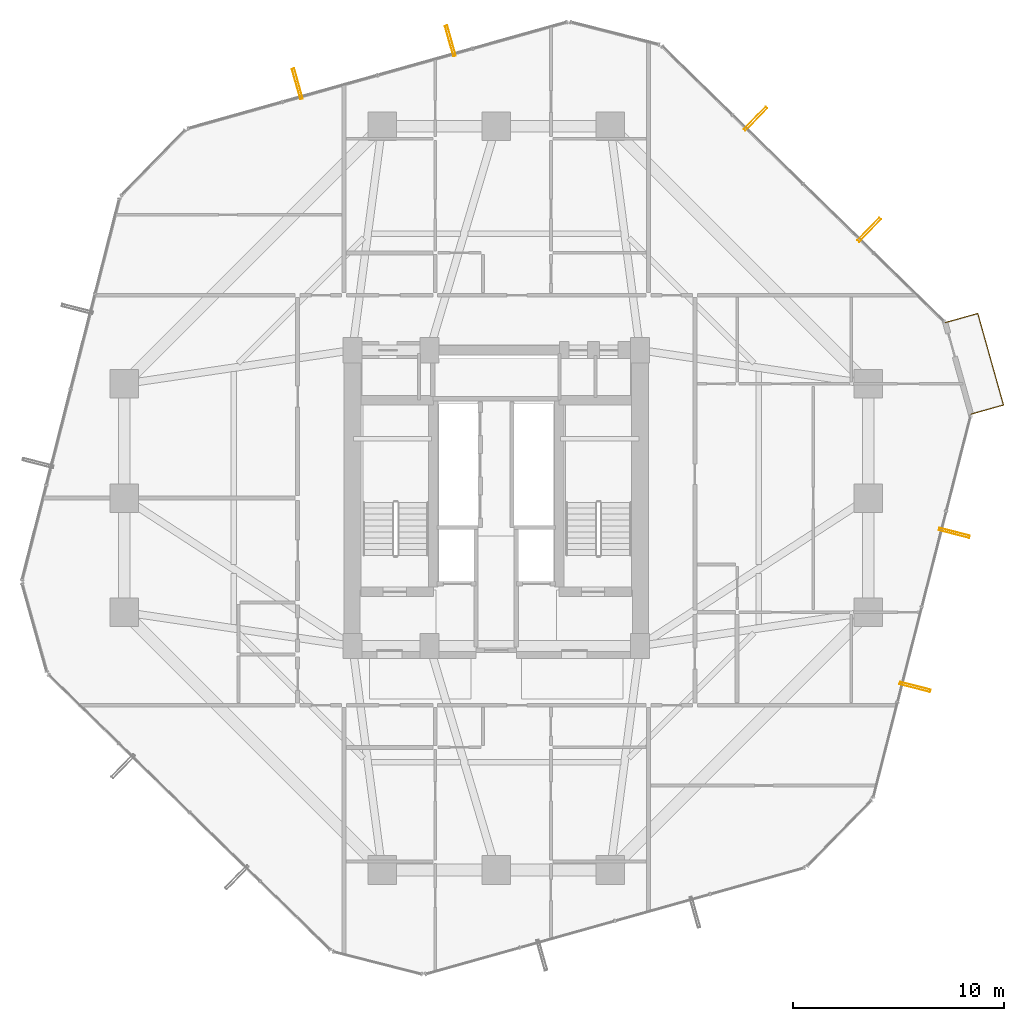
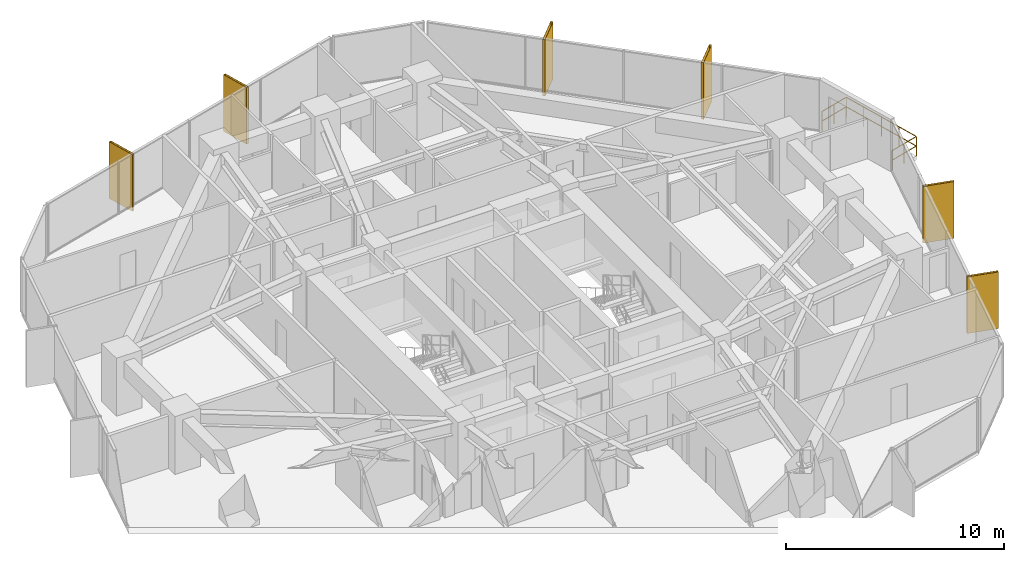
# One storey, part 39 of 39: 6 shading devices, 1 railing.
"""IFC4 building model written with IfcOpenShell, lengths in metres."""

from ifc_helpers import new_model, si_unit, direction, frame, origin, origin_2d, place, context, subcontext, project, spatial, hollow_rectangle, circle, extrude, material, material_profile, profile_set, type_object, element, save


model = new_model("IFC4")

# Units and contexts
model_context = context("Model", 3, precision=1e-05, world=origin(), true_north=direction((0.0, 1.0)))
body_context = subcontext(model_context, "Body", "Model", "MODEL_VIEW")
ifc_project = project(units=[si_unit("LENGTHUNIT", "METRE"), si_unit("AREAUNIT", "SQUARE_METRE"), si_unit("VOLUMEUNIT", "CUBIC_METRE"), si_unit("PLANEANGLEUNIT", "RADIAN"), si_unit("MASSUNIT", "GRAM", prefix="KILO")], contexts=[model_context])

# Site, building, storey
site_placement = place(None, origin())
site = spatial("IfcSite", under=ifc_project, at=site_placement, CompositionType="ELEMENT")
building_placement = place(site_placement, origin())
building = spatial("IfcBuilding", under=site, at=building_placement, Name="Veraguas Prism Commons", CompositionType="ELEMENT")
storey_placement = place(building_placement, frame((0.0, 0.0, 77.10009765625)))
storey = spatial("IfcBuildingStorey", under=building, at=storey_placement, Name="L21", CompositionType="ELEMENT", Elevation=77.10009765625)

# Shading devices
ifc_material_1 = material(Name="Anodised aluminium EN AW-6063 T6", Category="aluminium")
ifc_material_profile = material_profile(ifc_material_1, hollow_rectangle(XDim=0.1201171875, YDim=1.489990234375, WallThickness=0.006103515625, at=origin_2d()), Name="FIN120X1490X6")
ifc_profile_set = profile_set([ifc_material_profile], Name="Anodised aluminium EN AW-6063 T6")
shading_device_type = type_object("IfcShadingDeviceType", Name="Deep Pale-Metal Vertical Solar Fin 120x1490", PredefinedType="USERDEFINED", material=ifc_profile_set)
for number, where, z_axis, x_axis, name in (
    (1, (41.648681640625, 36.68994140625, -0.22998046875), (0.0, 0.0, 1.0), (-0.715448897181, 0.698665066769, 0.0), "Vertical Pale-Metal Solar Fin L21-F1A"),
    (2, (36.267578125, 41.945068359375, -0.22998046875), (0.0, 0.0, 1.0), (-0.715448897181, 0.698665066769, 0.0), "Vertical Pale-Metal Solar Fin L21-F1B"),
    (3, (21.834716796875, 45.629150390625, -0.22998046875), (0.0, 0.0, 1.0), (-0.962786145149, -0.270264386684, 0.0), "Vertical Pale-Metal Solar Fin L21-F2A"),
    (4, (14.593017578125, 43.596435546875, -0.22998046875), (0.0, 0.0, 1.0), (-0.962786145149, -0.270264386684, 0.0), "Vertical Pale-Metal Solar Fin L21-F2B"),
    (5, (43.814208984375, 15.060791015625, -0.22998046875), (0.0, 0.0, 1.0), (0.247337247968, 0.968929453452, 0.0), "Vertical Pale-Metal Solar Fin L21-F6A"),
    (6, (45.674560546875, 22.348388671875, -0.22998046875), (0.0, 0.0, 1.0), (0.247337247968, 0.968929453452, 0.0), "Vertical Pale-Metal Solar Fin L21-F6B"),
):
    element("IfcShadingDevice", number, at=place(storey_placement, frame(where, z_axis=z_axis, x_axis=x_axis)), inside=storey, type_object=shading_device_type, Name=name, ObjectType="FIN", PredefinedType="USERDEFINED", context=body_context, shape_type="SweptSolid", body=[
        extrude(hollow_rectangle(XDim=0.1201171875, YDim=1.489990234375, WallThickness=0.006103515625, at=origin_2d()), origin(), (0.0, 0.0, 1.0), 3.179931640625),
    ])

# Railing
ifc_material_2 = material(Name="Stainless steel AISI 316", Category="steel")
railing_type = type_object("IfcRailingType", Name="Loggia and Sky Pool Glazed Balustrade 1120", PredefinedType="BALUSTRADE", material=ifc_material_2)
railing_placement = place(storey_placement, frame((46.46435546875, 27.968994140625, 0.0)))
element("IfcRailing", 7, at=railing_placement, inside=storey, type_object=railing_type, Name="Recessed Corner Loggia L21-C1 Guard", PredefinedType="BALUSTRADE", context=body_context, shape_type="SweptSolid", body=[
    extrude(circle(Radius=0.02392578125, at=origin_2d()), frame((0.0, 0.0, 1.09619140625), z_axis=(0.962797444133, 0.270224132101, 0.0), x_axis=(-0.270224132101, 0.962797444133, 0.0)), (0.0, 0.0, 1.0), 1.60009765625),
    extrude(circle(Radius=0.02392578125, at=origin_2d()), frame((0.0, 0.0, 0.56005859375), z_axis=(0.962797444133, 0.270224132101, 0.0), x_axis=(-0.270224132101, 0.962797444133, 0.0)), (0.0, 0.0, 1.0), 1.60009765625),
    extrude(circle(Radius=0.02392578125, at=origin_2d()), frame((1.54052734375, 0.432373046875, 1.09619140625), z_axis=(-0.270289917108, 0.96277897812, 0.0), x_axis=(-0.96277897812, -0.270289917108, 0.0)), (0.0, 0.0, 1.0), 4.5),
    extrude(circle(Radius=0.02392578125, at=origin_2d()), frame((1.54052734375, 0.432373046875, 0.56005859375), z_axis=(-0.270289917108, 0.96277897812, 0.0), x_axis=(-0.96277897812, -0.270289917108, 0.0)), (0.0, 0.0, 1.0), 4.5),
    extrude(circle(Radius=0.02392578125, at=origin_2d()), frame((0.32421875, 4.764892578125, 1.09619140625), z_axis=(-0.962797444133, -0.270224132101, 0.0), x_axis=(0.270224132101, -0.962797444133, 0.0)), (0.0, 0.0, 1.0), 1.60009765625),
    extrude(circle(Radius=0.02392578125, at=origin_2d()), frame((0.32421875, 4.764892578125, 0.56005859375), z_axis=(-0.962797444133, -0.270224132101, 0.0), x_axis=(0.270224132101, -0.962797444133, 0.0)), (0.0, 0.0, 1.0), 1.60009765625),
    extrude(circle(Radius=0.02099609375, at=origin_2d()), origin(), (0.0, 0.0, 1.0), 1.072021484375),
    extrude(circle(Radius=0.02099609375, at=origin_2d()), frame((0.770263671875, 0.21630859375, 0.0)), (0.0, 0.0, 1.0), 1.072021484375),
    extrude(circle(Radius=0.02099609375, at=origin_2d()), frame((1.54052734375, 0.432373046875, 0.0)), (0.0, 0.0, 1.0), 1.072021484375),
    extrude(circle(Radius=0.02099609375, at=origin_2d()), frame((1.236328125, 1.515625, 0.0)), (0.0, 0.0, 1.0), 1.072021484375),
    extrude(circle(Radius=0.02099609375, at=origin_2d()), frame((0.932373046875, 2.5986328125, 0.0)), (0.0, 0.0, 1.0), 1.072021484375),
    extrude(circle(Radius=0.02099609375, at=origin_2d()), frame((0.62841796875, 3.681640625, 0.0)), (0.0, 0.0, 1.0), 1.072021484375),
    extrude(circle(Radius=0.02099609375, at=origin_2d()), frame((0.32421875, 4.764892578125, 0.0)), (0.0, 0.0, 1.0), 1.072021484375),
    extrude(circle(Radius=0.02099609375, at=origin_2d()), frame((-0.446044921875, 4.548828125, 0.0)), (0.0, 0.0, 1.0), 1.072021484375),
    extrude(circle(Radius=0.02099609375, at=origin_2d()), frame((-1.21630859375, 4.33251953125, 0.0)), (0.0, 0.0, 1.0), 1.072021484375),
])

save(model, "model.ifc")
